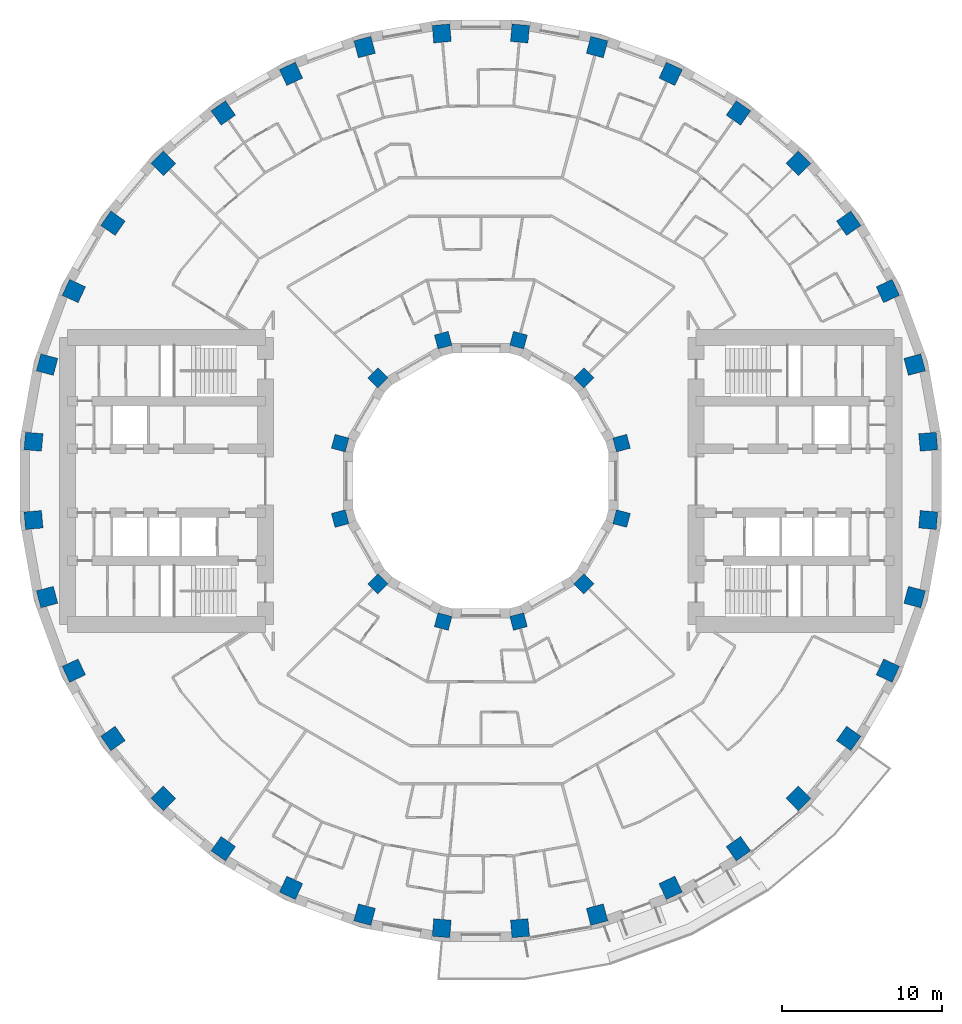
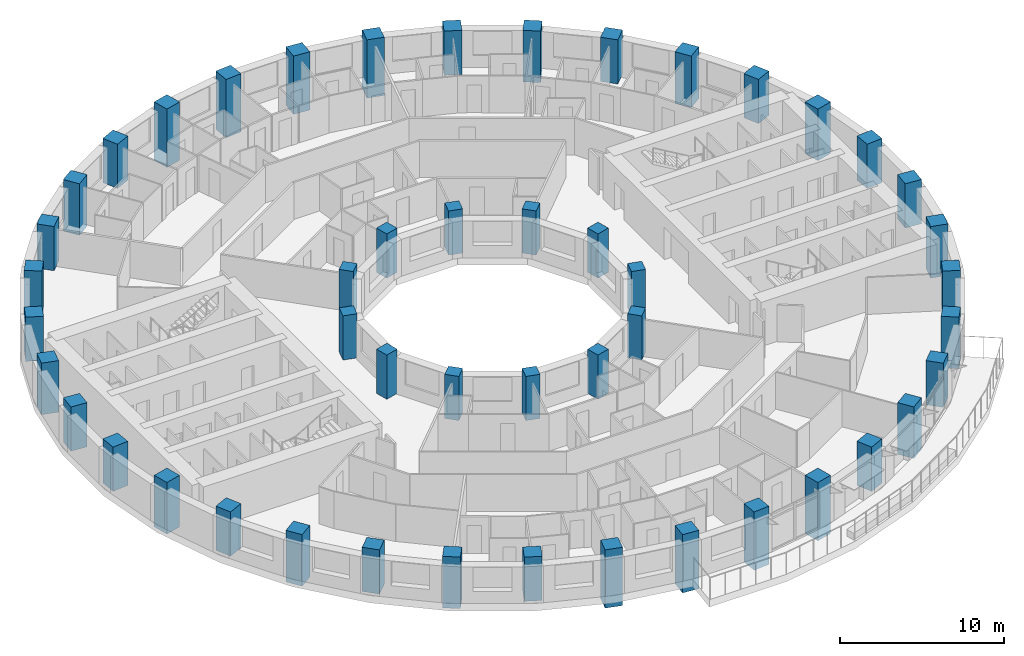
# One storey, part 1 of 16: 48 columns.
"""IFC4 building model written with IfcOpenShell, lengths in metres."""

from ifc_helpers import new_model, si_unit, direction, frame, origin, origin_2d, place, context, subcontext, project, spatial, rectangle, extrude, material, material_profile, profile_set, type_object, element, save


model = new_model("IFC4")

# Units and contexts
model_context = context("Model", 3, precision=1e-05, world=origin(), true_north=direction((0.0, 1.0)))
body_context = subcontext(model_context, "Body", "Model", "MODEL_VIEW")
ifc_project = project(units=[si_unit("LENGTHUNIT", "METRE"), si_unit("AREAUNIT", "SQUARE_METRE"), si_unit("VOLUMEUNIT", "CUBIC_METRE"), si_unit("PLANEANGLEUNIT", "RADIAN"), si_unit("MASSUNIT", "GRAM", prefix="KILO")], contexts=[model_context])

# Site, building, storey
site_placement = place(None, origin())
site = spatial("IfcSite", under=ifc_project, at=site_placement, CompositionType="ELEMENT")
building_placement = place(site_placement, origin())
building = spatial("IfcBuilding", under=site, at=building_placement, Name="Saqina Gate Tower", CompositionType="ELEMENT")
storey_placement = place(building_placement, frame((0.0, 0.0, 26.300048828125)))
storey = spatial("IfcBuildingStorey", under=building, at=storey_placement, Name="L06", CompositionType="ELEMENT", Elevation=26.300048828125)

# Columns
ifc_material_1 = material(Name="Concrete C70/85", Category="concrete")
ifc_material_profile_1 = material_profile(ifc_material_1, rectangle(XDim=0.89990234375, YDim=0.89990234375, at=origin_2d()), Name="RC 900x900")
ifc_profile_set_1 = profile_set([ifc_material_profile_1], Name="Concrete C70/85")
column_type_1 = type_object("IfcColumnType", Name="STR-COL-IN-A", PredefinedType="COLUMN", material=ifc_profile_set_1)
for number, where, z_axis, x_axis, name in (
    (1, (8.821044921875, 2.363525390625, 0.0), (0.0, 0.0, 1.0), (0.965925826289, 0.258819045103, 0.0), "L06-ICL01"),
    (2, (6.45751953125, 6.45751953125, 0.0), (0.0, 0.0, 1.0), (0.707106781187, 0.707106781187, 0.0), "L06-ICL02"),
    (3, (2.363525390625, 8.821044921875, 0.0), (0.0, 0.0, 1.0), (0.258819045103, 0.965925826289, 0.0), "L06-ICL03"),
    (4, (-2.363525390625, 8.821044921875, 0.0), (0.0, 0.0, 1.0), (-0.258819045103, 0.965925826289, 0.0), "L06-ICL04"),
    (5, (-6.45751953125, 6.45751953125, 0.0), (0.0, 0.0, 1.0), (-0.707106781187, 0.707106781187, 0.0), "L06-ICL05"),
    (6, (-8.821044921875, 2.363525390625, 0.0), (0.0, 0.0, 1.0), (-0.965925826289, 0.258819045103, 0.0), "L06-ICL06"),
    (7, (-8.821044921875, -2.363525390625, 0.0), (0.0, 0.0, 1.0), (-0.965925826289, -0.258819045103, 0.0), "L06-ICL07"),
    (8, (-6.45751953125, -6.45751953125, 0.0), (0.0, 0.0, 1.0), (-0.707106781187, -0.707106781187, 0.0), "L06-ICL08"),
    (9, (-2.363525390625, -8.821044921875, 0.0), (0.0, 0.0, 1.0), (-0.258819045103, -0.965925826289, 0.0), "L06-ICL09"),
    (10, (2.363525390625, -8.821044921875, 0.0), (0.0, 0.0, 1.0), (0.258819045103, -0.965925826289, 0.0), "L06-ICL10"),
    (11, (6.45751953125, -6.45751953125, 0.0), (0.0, 0.0, 1.0), (0.707106781187, -0.707106781187, 0.0), "L06-ICL11"),
    (12, (8.821044921875, -2.363525390625, 0.0), (0.0, 0.0, 1.0), (0.965925826289, -0.258819045103, 0.0), "L06-ICL12"),
):
    element("IfcColumn", number, at=place(storey_placement, frame(where, z_axis=z_axis, x_axis=x_axis)), inside=storey, type_object=column_type_1, Name=name, PredefinedType="COLUMN", context=body_context, shape_type="SweptSolid", body=[
        extrude(rectangle(XDim=0.89990234375, YDim=0.89990234375, at=origin_2d()), origin(), (0.0, 0.0, 1.0), 3.300048828125),
    ])
ifc_material_2 = material(Name="Concrete C70/85", Category="concrete")
ifc_material_profile_2 = material_profile(ifc_material_2, rectangle(XDim=1.10009765625, YDim=1.10009765625, at=origin_2d()), Name="RC 1100x1100")
ifc_profile_set_2 = profile_set([ifc_material_profile_2], Name="Concrete C70/85")
column_type_2 = type_object("IfcColumnType", Name="STR-COL-OUT-A", PredefinedType="COLUMN", material=ifc_profile_set_2)
column_1_placement = place(storey_placement, frame((28.04296875, 2.453369140625, 0.0), z_axis=(0.0, 0.0, 1.0), x_axis=(0.996194698092, 0.087155742748, 0.0)))
element("IfcColumn", 13, at=column_1_placement, inside=storey, type_object=column_type_2, Name="L06-COL01", PredefinedType="COLUMN", context=body_context, shape_type="SweptSolid", body=[
    extrude(rectangle(XDim=1.10009765625, YDim=1.10009765625, at=origin_2d()), origin(), (0.0, 0.0, 1.0), 3.300048828125),
])
column_2_placement = place(storey_placement, frame((27.19091796875, 7.28564453125, -0.550048828125), z_axis=(0.0, 0.0, 1.0), x_axis=(0.965925826289, 0.258819045103, 0.0)))
element("IfcColumn", 14, at=column_2_placement, inside=storey, type_object=column_type_2, Name="L06-COL02", PredefinedType="COLUMN", context=body_context, shape_type="SweptSolid", body=[
    extrude(rectangle(XDim=1.10009765625, YDim=1.10009765625, at=origin_2d()), origin(), (0.0, 0.0, 1.0), 3.85009765625),
])
column_3_placement = place(storey_placement, frame((25.512451171875, 11.896728515625, 0.0), z_axis=(0.0, 0.0, 1.0), x_axis=(0.906307787037, 0.422618261741, 0.0)))
element("IfcColumn", 15, at=column_3_placement, inside=storey, type_object=column_type_2, Name="L06-COL03", PredefinedType="COLUMN", context=body_context, shape_type="SweptSolid", body=[
    extrude(rectangle(XDim=1.10009765625, YDim=1.10009765625, at=origin_2d()), origin(), (0.0, 0.0, 1.0), 3.300048828125),
])
column_4_placement = place(storey_placement, frame((23.05908203125, 16.146240234375, -0.550048828125), z_axis=(0.0, 0.0, 1.0), x_axis=(0.819152044289, 0.573576436351, 0.0)))
element("IfcColumn", 16, at=column_4_placement, inside=storey, type_object=column_type_2, Name="L06-COL04", PredefinedType="COLUMN", context=body_context, shape_type="SweptSolid", body=[
    extrude(rectangle(XDim=1.10009765625, YDim=1.10009765625, at=origin_2d()), origin(), (0.0, 0.0, 1.0), 3.85009765625),
])
column_5_placement = place(storey_placement, frame((19.905029296875, 19.905029296875, 0.0), z_axis=(0.0, 0.0, 1.0), x_axis=(0.707106781187, 0.707106781187, 0.0)))
element("IfcColumn", 17, at=column_5_placement, inside=storey, type_object=column_type_2, Name="L06-COL05", PredefinedType="COLUMN", context=body_context, shape_type="SweptSolid", body=[
    extrude(rectangle(XDim=1.10009765625, YDim=1.10009765625, at=origin_2d()), origin(), (0.0, 0.0, 1.0), 3.300048828125),
])
column_6_placement = place(storey_placement, frame((16.146240234375, 23.05908203125, -0.550048828125), z_axis=(0.0, 0.0, 1.0), x_axis=(0.573576436351, 0.819152044289, 0.0)))
element("IfcColumn", 18, at=column_6_placement, inside=storey, type_object=column_type_2, Name="L06-COL06", PredefinedType="COLUMN", context=body_context, shape_type="SweptSolid", body=[
    extrude(rectangle(XDim=1.10009765625, YDim=1.10009765625, at=origin_2d()), origin(), (0.0, 0.0, 1.0), 3.85009765625),
])
column_7_placement = place(storey_placement, frame((11.896728515625, 25.512451171875, 0.0), z_axis=(0.0, 0.0, 1.0), x_axis=(0.422618261741, 0.906307787037, 0.0)))
element("IfcColumn", 19, at=column_7_placement, inside=storey, type_object=column_type_2, Name="L06-COL07", PredefinedType="COLUMN", context=body_context, shape_type="SweptSolid", body=[
    extrude(rectangle(XDim=1.10009765625, YDim=1.10009765625, at=origin_2d()), origin(), (0.0, 0.0, 1.0), 3.300048828125),
])
for number, where, z_axis, x_axis, name in (
    (20, (7.28564453125, 27.19091796875, -1.050048828125), (0.0, 0.0, 1.0), (0.258819045103, 0.965925826289, 0.0), "L06-COL08"),
    (21, (2.453369140625, 28.04296875, -1.050048828125), (0.0, 0.0, 1.0), (0.087155742748, 0.996194698092, 0.0), "L06-COL09"),
    (22, (-2.453369140625, 28.04296875, -1.050048828125), (0.0, 0.0, 1.0), (-0.087155742748, 0.996194698092, 0.0), "L06-COL10"),
    (23, (-7.28564453125, 27.19091796875, -1.050048828125), (0.0, 0.0, 1.0), (-0.258819045103, 0.965925826289, 0.0), "L06-COL11"),
):
    element("IfcColumn", number, at=place(storey_placement, frame(where, z_axis=z_axis, x_axis=x_axis)), inside=storey, type_object=column_type_2, Name=name, PredefinedType="COLUMN", context=body_context, shape_type="SweptSolid", body=[
        extrude(rectangle(XDim=1.10009765625, YDim=1.10009765625, at=origin_2d()), origin(), (0.0, 0.0, 1.0), 4.35009765625),
    ])
column_8_placement = place(storey_placement, frame((-11.896728515625, 25.512451171875, 0.0), z_axis=(0.0, 0.0, 1.0), x_axis=(-0.422618261741, 0.906307787037, 0.0)))
element("IfcColumn", 24, at=column_8_placement, inside=storey, type_object=column_type_2, Name="L06-COL12", PredefinedType="COLUMN", context=body_context, shape_type="SweptSolid", body=[
    extrude(rectangle(XDim=1.10009765625, YDim=1.10009765625, at=origin_2d()), origin(), (0.0, 0.0, 1.0), 3.300048828125),
])
column_9_placement = place(storey_placement, frame((-16.146240234375, 23.05908203125, -0.550048828125), z_axis=(0.0, 0.0, 1.0), x_axis=(-0.573576436351, 0.819152044289, 0.0)))
element("IfcColumn", 25, at=column_9_placement, inside=storey, type_object=column_type_2, Name="L06-COL13", PredefinedType="COLUMN", context=body_context, shape_type="SweptSolid", body=[
    extrude(rectangle(XDim=1.10009765625, YDim=1.10009765625, at=origin_2d()), origin(), (0.0, 0.0, 1.0), 3.85009765625),
])
column_10_placement = place(storey_placement, frame((-19.905029296875, 19.905029296875, 0.0), z_axis=(0.0, 0.0, 1.0), x_axis=(-0.707106781187, 0.707106781187, 0.0)))
element("IfcColumn", 26, at=column_10_placement, inside=storey, type_object=column_type_2, Name="L06-COL14", PredefinedType="COLUMN", context=body_context, shape_type="SweptSolid", body=[
    extrude(rectangle(XDim=1.10009765625, YDim=1.10009765625, at=origin_2d()), origin(), (0.0, 0.0, 1.0), 3.300048828125),
])
column_11_placement = place(storey_placement, frame((-23.05908203125, 16.146240234375, -0.550048828125), z_axis=(0.0, 0.0, 1.0), x_axis=(-0.819152044289, 0.573576436351, 0.0)))
element("IfcColumn", 27, at=column_11_placement, inside=storey, type_object=column_type_2, Name="L06-COL15", PredefinedType="COLUMN", context=body_context, shape_type="SweptSolid", body=[
    extrude(rectangle(XDim=1.10009765625, YDim=1.10009765625, at=origin_2d()), origin(), (0.0, 0.0, 1.0), 3.85009765625),
])
column_12_placement = place(storey_placement, frame((-25.512451171875, 11.896728515625, 0.0), z_axis=(0.0, 0.0, 1.0), x_axis=(-0.906307787037, 0.422618261741, 0.0)))
element("IfcColumn", 28, at=column_12_placement, inside=storey, type_object=column_type_2, Name="L06-COL16", PredefinedType="COLUMN", context=body_context, shape_type="SweptSolid", body=[
    extrude(rectangle(XDim=1.10009765625, YDim=1.10009765625, at=origin_2d()), origin(), (0.0, 0.0, 1.0), 3.300048828125),
])
column_13_placement = place(storey_placement, frame((-27.19091796875, 7.28564453125, -0.550048828125), z_axis=(0.0, 0.0, 1.0), x_axis=(-0.965925826289, 0.258819045103, 0.0)))
element("IfcColumn", 29, at=column_13_placement, inside=storey, type_object=column_type_2, Name="L06-COL17", PredefinedType="COLUMN", context=body_context, shape_type="SweptSolid", body=[
    extrude(rectangle(XDim=1.10009765625, YDim=1.10009765625, at=origin_2d()), origin(), (0.0, 0.0, 1.0), 3.85009765625),
])
for number, where, z_axis, x_axis, name in (
    (30, (-28.04296875, 2.453369140625, 0.0), (0.0, 0.0, 1.0), (-0.996194698092, 0.087155742748, 0.0), "L06-COL18"),
    (31, (-28.04296875, -2.453369140625, 0.0), (0.0, 0.0, 1.0), (-0.996194698092, -0.087155742748, 0.0), "L06-COL19"),
):
    element("IfcColumn", number, at=place(storey_placement, frame(where, z_axis=z_axis, x_axis=x_axis)), inside=storey, type_object=column_type_2, Name=name, PredefinedType="COLUMN", context=body_context, shape_type="SweptSolid", body=[
        extrude(rectangle(XDim=1.10009765625, YDim=1.10009765625, at=origin_2d()), origin(), (0.0, 0.0, 1.0), 3.300048828125),
    ])
column_14_placement = place(storey_placement, frame((-27.19091796875, -7.28564453125, -0.550048828125), z_axis=(0.0, 0.0, 1.0), x_axis=(-0.965925826289, -0.258819045103, 0.0)))
element("IfcColumn", 32, at=column_14_placement, inside=storey, type_object=column_type_2, Name="L06-COL20", PredefinedType="COLUMN", context=body_context, shape_type="SweptSolid", body=[
    extrude(rectangle(XDim=1.10009765625, YDim=1.10009765625, at=origin_2d()), origin(), (0.0, 0.0, 1.0), 3.85009765625),
])
column_15_placement = place(storey_placement, frame((-25.512451171875, -11.896728515625, 0.0), z_axis=(0.0, 0.0, 1.0), x_axis=(-0.906307787037, -0.422618261741, 0.0)))
element("IfcColumn", 33, at=column_15_placement, inside=storey, type_object=column_type_2, Name="L06-COL21", PredefinedType="COLUMN", context=body_context, shape_type="SweptSolid", body=[
    extrude(rectangle(XDim=1.10009765625, YDim=1.10009765625, at=origin_2d()), origin(), (0.0, 0.0, 1.0), 3.300048828125),
])
column_16_placement = place(storey_placement, frame((-23.05908203125, -16.146240234375, -0.550048828125), z_axis=(0.0, 0.0, 1.0), x_axis=(-0.819152044289, -0.573576436351, 0.0)))
element("IfcColumn", 34, at=column_16_placement, inside=storey, type_object=column_type_2, Name="L06-COL22", PredefinedType="COLUMN", context=body_context, shape_type="SweptSolid", body=[
    extrude(rectangle(XDim=1.10009765625, YDim=1.10009765625, at=origin_2d()), origin(), (0.0, 0.0, 1.0), 3.85009765625),
])
column_17_placement = place(storey_placement, frame((-19.905029296875, -19.905029296875, 0.0), z_axis=(0.0, 0.0, 1.0), x_axis=(-0.707106781187, -0.707106781187, 0.0)))
element("IfcColumn", 35, at=column_17_placement, inside=storey, type_object=column_type_2, Name="L06-COL23", PredefinedType="COLUMN", context=body_context, shape_type="SweptSolid", body=[
    extrude(rectangle(XDim=1.10009765625, YDim=1.10009765625, at=origin_2d()), origin(), (0.0, 0.0, 1.0), 3.300048828125),
])
column_18_placement = place(storey_placement, frame((-16.146240234375, -23.05908203125, -0.550048828125), z_axis=(0.0, 0.0, 1.0), x_axis=(-0.573576436351, -0.819152044289, 0.0)))
element("IfcColumn", 36, at=column_18_placement, inside=storey, type_object=column_type_2, Name="L06-COL24", PredefinedType="COLUMN", context=body_context, shape_type="SweptSolid", body=[
    extrude(rectangle(XDim=1.10009765625, YDim=1.10009765625, at=origin_2d()), origin(), (0.0, 0.0, 1.0), 3.85009765625),
])
column_19_placement = place(storey_placement, frame((-11.896728515625, -25.512451171875, 0.0), z_axis=(0.0, 0.0, 1.0), x_axis=(-0.422618261741, -0.906307787037, 0.0)))
element("IfcColumn", 37, at=column_19_placement, inside=storey, type_object=column_type_2, Name="L06-COL25", PredefinedType="COLUMN", context=body_context, shape_type="SweptSolid", body=[
    extrude(rectangle(XDim=1.10009765625, YDim=1.10009765625, at=origin_2d()), origin(), (0.0, 0.0, 1.0), 3.300048828125),
])
for number, where, z_axis, x_axis, name in (
    (38, (-7.28564453125, -27.19091796875, -1.050048828125), (0.0, 0.0, 1.0), (-0.258819045103, -0.965925826289, 0.0), "L06-COL26"),
    (39, (-2.453369140625, -28.04296875, -1.050048828125), (0.0, 0.0, 1.0), (-0.087155742748, -0.996194698092, 0.0), "L06-COL27"),
    (40, (2.453369140625, -28.04296875, -1.050048828125), (0.0, 0.0, 1.0), (0.087155742748, -0.996194698092, 0.0), "L06-COL28"),
    (41, (7.28564453125, -27.19091796875, -1.050048828125), (0.0, 0.0, 1.0), (0.258819045103, -0.965925826289, 0.0), "L06-COL29"),
):
    element("IfcColumn", number, at=place(storey_placement, frame(where, z_axis=z_axis, x_axis=x_axis)), inside=storey, type_object=column_type_2, Name=name, PredefinedType="COLUMN", context=body_context, shape_type="SweptSolid", body=[
        extrude(rectangle(XDim=1.10009765625, YDim=1.10009765625, at=origin_2d()), origin(), (0.0, 0.0, 1.0), 4.35009765625),
    ])
column_20_placement = place(storey_placement, frame((11.896728515625, -25.512451171875, 0.0), z_axis=(0.0, 0.0, 1.0), x_axis=(0.422618261741, -0.906307787037, 0.0)))
element("IfcColumn", 42, at=column_20_placement, inside=storey, type_object=column_type_2, Name="L06-COL30", PredefinedType="COLUMN", context=body_context, shape_type="SweptSolid", body=[
    extrude(rectangle(XDim=1.10009765625, YDim=1.10009765625, at=origin_2d()), origin(), (0.0, 0.0, 1.0), 3.300048828125),
])
column_21_placement = place(storey_placement, frame((16.146240234375, -23.05908203125, -0.550048828125), z_axis=(0.0, 0.0, 1.0), x_axis=(0.573576436351, -0.819152044289, 0.0)))
element("IfcColumn", 43, at=column_21_placement, inside=storey, type_object=column_type_2, Name="L06-COL31", PredefinedType="COLUMN", context=body_context, shape_type="SweptSolid", body=[
    extrude(rectangle(XDim=1.10009765625, YDim=1.10009765625, at=origin_2d()), origin(), (0.0, 0.0, 1.0), 3.85009765625),
])
column_22_placement = place(storey_placement, frame((19.905029296875, -19.905029296875, 0.0), z_axis=(0.0, 0.0, 1.0), x_axis=(0.707106781187, -0.707106781187, 0.0)))
element("IfcColumn", 44, at=column_22_placement, inside=storey, type_object=column_type_2, Name="L06-COL32", PredefinedType="COLUMN", context=body_context, shape_type="SweptSolid", body=[
    extrude(rectangle(XDim=1.10009765625, YDim=1.10009765625, at=origin_2d()), origin(), (0.0, 0.0, 1.0), 3.300048828125),
])
column_23_placement = place(storey_placement, frame((23.05908203125, -16.146240234375, -0.550048828125), z_axis=(0.0, 0.0, 1.0), x_axis=(0.819152044289, -0.573576436351, 0.0)))
element("IfcColumn", 45, at=column_23_placement, inside=storey, type_object=column_type_2, Name="L06-COL33", PredefinedType="COLUMN", context=body_context, shape_type="SweptSolid", body=[
    extrude(rectangle(XDim=1.10009765625, YDim=1.10009765625, at=origin_2d()), origin(), (0.0, 0.0, 1.0), 3.85009765625),
])
column_24_placement = place(storey_placement, frame((25.512451171875, -11.896728515625, 0.0), z_axis=(0.0, 0.0, 1.0), x_axis=(0.906307787037, -0.422618261741, 0.0)))
element("IfcColumn", 46, at=column_24_placement, inside=storey, type_object=column_type_2, Name="L06-COL34", PredefinedType="COLUMN", context=body_context, shape_type="SweptSolid", body=[
    extrude(rectangle(XDim=1.10009765625, YDim=1.10009765625, at=origin_2d()), origin(), (0.0, 0.0, 1.0), 3.300048828125),
])
column_25_placement = place(storey_placement, frame((27.19091796875, -7.28564453125, -0.550048828125), z_axis=(0.0, 0.0, 1.0), x_axis=(0.965925826289, -0.258819045103, 0.0)))
element("IfcColumn", 47, at=column_25_placement, inside=storey, type_object=column_type_2, Name="L06-COL35", PredefinedType="COLUMN", context=body_context, shape_type="SweptSolid", body=[
    extrude(rectangle(XDim=1.10009765625, YDim=1.10009765625, at=origin_2d()), origin(), (0.0, 0.0, 1.0), 3.85009765625),
])
column_26_placement = place(storey_placement, frame((28.04296875, -2.453369140625, 0.0), z_axis=(0.0, 0.0, 1.0), x_axis=(0.996194698092, -0.087155742748, 0.0)))
element("IfcColumn", 48, at=column_26_placement, inside=storey, type_object=column_type_2, Name="L06-COL36", PredefinedType="COLUMN", context=body_context, shape_type="SweptSolid", body=[
    extrude(rectangle(XDim=1.10009765625, YDim=1.10009765625, at=origin_2d()), origin(), (0.0, 0.0, 1.0), 3.300048828125),
])

save(model, "model.ifc")
